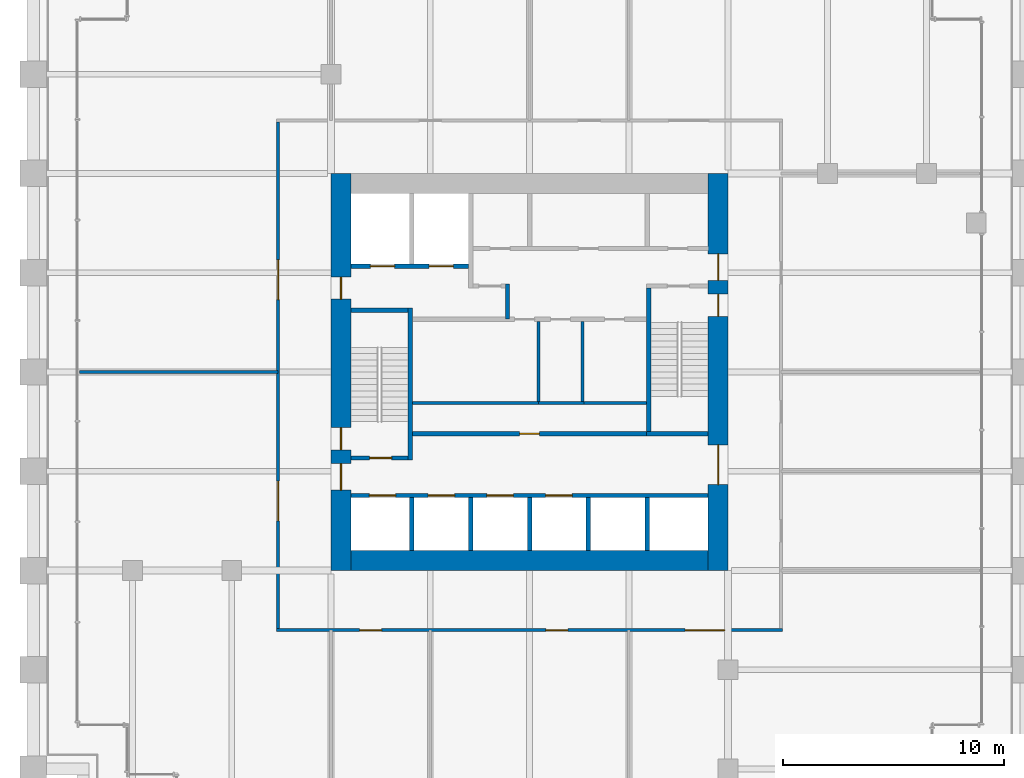
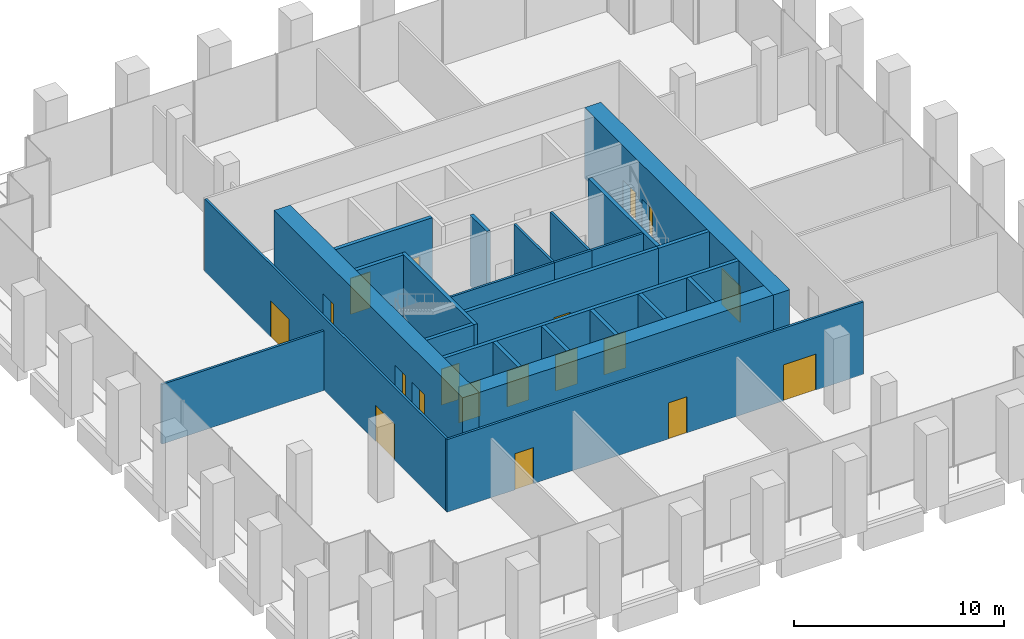
# One storey, part 30 of 36: 25 walls, 19 doors, 19 openings.
"""IFC4 building model written with IfcOpenShell, lengths in metres."""

from ifc_helpers import new_model, si_unit, direction, frame, frame_2d, origin, place, context, subcontext, project, spatial, rectangle, extrude, material, layer, layer_set, type_object, element, fill, save


model = new_model("IFC4")

# Units and contexts
model_context = context("Model", 3, precision=1e-05, world=origin(), true_north=direction((0.0, 1.0)))
body_context = subcontext(model_context, "Body", "Model", "MODEL_VIEW")
ifc_project = project(units=[si_unit("LENGTHUNIT", "METRE"), si_unit("AREAUNIT", "SQUARE_METRE"), si_unit("VOLUMEUNIT", "CUBIC_METRE"), si_unit("PLANEANGLEUNIT", "RADIAN"), si_unit("MASSUNIT", "GRAM", prefix="KILO")], contexts=[model_context])

# Site, building, storey
site_placement = place(None, origin())
site = spatial("IfcSite", under=ifc_project, at=site_placement, CompositionType="ELEMENT")
building_placement = place(site_placement, origin())
building = spatial("IfcBuilding", under=site, at=building_placement, Name="Altepetl Exchange Towers", CompositionType="ELEMENT")
storey_placement = place(building_placement, frame((0.0, 0.0, 34.199951171875)))
storey = spatial("IfcBuildingStorey", under=building, at=storey_placement, Name="L07", CompositionType="ELEMENT", Elevation=34.199951171875)

# Wall, openings, doors
ifc_material_1 = material(Name="Concrete C70/85", Category="concrete")
ifc_layer_1 = layer(ifc_material_1, 0.89990234375)
ifc_layer_set_1 = layer_set([ifc_layer_1], Name="Concrete C70/85")
wall_type_1 = type_object("IfcWallType", Name="Core wall 900 reinforced concrete", PredefinedType="SHEAR", material=ifc_layer_set_1)
wall_1_placement = place(storey_placement, frame((58.050048828125, 40.5, 0.0), z_axis=(0.0, 0.0, 1.0), x_axis=(0.0, 1.0, 0.0)))
wall_1 = element("IfcWall", 1, at=wall_1_placement, inside=storey, type_object=wall_type_1, Name="wall:A:L07:K-coreE", PredefinedType="SHEAR", context=body_context, shape_type="SweptSolid", body=[
    extrude(rectangle(XDim=18.0, YDim=0.89990234375, at=frame_2d((9.0, 0.0))), origin(), (0.0, 0.0, 1.0), 4.125),
])
opening_1_placement = place(wall_1_placement, frame((13.14990234375, 0.0, 0.0)))
opening_1 = element("IfcOpeningElement", 2, at=opening_1_placement, cuts=wall_1, Name="Opening L07.A60", PredefinedType="OPENING", context=body_context, shape_type="SweptSolid", body=[
    extrude(rectangle(XDim=1.199951171875, YDim=2.10009765625, at=frame_2d((0.60009765625, 1.050048828125))), frame((0.0, 0.4599609375, 0.0), z_axis=(0.0, -1.0, 0.0), x_axis=(1.0, 0.0, 0.0)), (0.0, 0.0, 1.0), 0.919921875),
])
opening_2_placement = place(wall_1_placement, frame((3.89990234375, 0.0, 0.0)))
opening_2 = element("IfcOpeningElement", 3, at=opening_2_placement, cuts=wall_1, Name="Opening L07.A61", PredefinedType="OPENING", context=body_context, shape_type="SweptSolid", body=[
    extrude(rectangle(XDim=1.800048828125, YDim=2.10009765625, at=frame_2d((0.89990234375, 1.050048828125))), frame((0.0, 0.4599609375, 0.0), z_axis=(0.0, -1.0, 0.0), x_axis=(1.0, 0.0, 0.0)), (0.0, 0.0, 1.0), 0.919921875),
])
opening_3_placement = place(wall_1_placement, frame((11.52490234375, 0.0, 0.0)))
opening_3 = element("IfcOpeningElement", 4, at=opening_3_placement, cuts=wall_1, Name="Opening L07.A66", PredefinedType="OPENING", context=body_context, shape_type="SweptSolid", body=[
    extrude(rectangle(XDim=1.0, YDim=2.10009765625, at=frame_2d((0.5, 1.050048828125))), frame((0.0, 0.4599609375, 0.0), z_axis=(0.0, -1.0, 0.0), x_axis=(1.0, 0.0, 0.0)), (0.0, 0.0, 1.0), 0.919921875),
])
ifc_material_2 = material(Name="Steel and timber fire door", Category="steel")
door_type_1 = type_object("IfcDoorType", Name="Fire door 1000 x 2100 stair and lobby", OperationType="SINGLE_SWING_LEFT", PredefinedType="DOOR", material=ifc_material_2)
door_1_placement = place(opening_3_placement, origin())
door_1 = element("IfcDoor", 5, at=door_1_placement, inside=storey, type_object=door_type_1, Name="door:A:L07:K-dS2x", OperationType="SINGLE_SWING_RIGHT", OverallHeight=2.10009765625, OverallWidth=1.0, PredefinedType="DOOR", context=body_context, shape_type="SweptSolid", body=[
    extrude(rectangle(XDim=1.0, YDim=2.10009765625, at=frame_2d((0.5, 1.050048828125))), frame((0.0, 0.02490234375, 0.0), z_axis=(0.0, -1.0, 0.0), x_axis=(1.0, 0.0, 0.0)), (0.0, 0.0, 1.0), 0.050048828125),
])
fill(opening_3, door_1)
door_type_2 = type_object("IfcDoorType", Name="Fire door 1200 x 2100 lobby entry", OperationType="SINGLE_SWING_LEFT", PredefinedType="DOOR", material=ifc_material_2)
door_2_placement = place(opening_1_placement, origin())
door_2 = element("IfcDoor", 6, at=door_2_placement, inside=storey, type_object=door_type_2, Name="door:A:L07:K-dLNE", OperationType="SINGLE_SWING_RIGHT", OverallHeight=2.10009765625, OverallWidth=1.199951171875, PredefinedType="DOOR", context=body_context, shape_type="SweptSolid", body=[
    extrude(rectangle(XDim=1.199951171875, YDim=2.10009765625, at=frame_2d((0.60009765625, 1.050048828125))), frame((0.0, 0.02490234375, 0.0), z_axis=(0.0, -1.0, 0.0), x_axis=(1.0, 0.0, 0.0)), (0.0, 0.0, 1.0), 0.050048828125),
])
fill(opening_1, door_2)
door_type_3 = type_object("IfcDoorType", Name="Fire door 1800 x 2100 lobby entry", OperationType="DOUBLE_DOOR_SINGLE_SWING", PredefinedType="DOOR", material=ifc_material_2)
door_3_placement = place(opening_2_placement, origin())
door_3 = element("IfcDoor", 7, at=door_3_placement, inside=storey, type_object=door_type_3, Name="door:A:L07:K-dLSE", OperationType="DOUBLE_DOOR_SINGLE_SWING", OverallHeight=2.10009765625, OverallWidth=1.800048828125, PredefinedType="DOOR", context=body_context, shape_type="SweptSolid", body=[
    extrude(rectangle(XDim=1.800048828125, YDim=2.10009765625, at=frame_2d((0.89990234375, 1.050048828125))), frame((0.0, 0.02490234375, 0.0), z_axis=(0.0, -1.0, 0.0), x_axis=(1.0, 0.0, 0.0)), (0.0, 0.0, 1.0), 0.050048828125),
])
fill(opening_2, door_3)

# Wall
wall_2_placement = place(storey_placement, frame((41.39990234375, 40.949951171875, 0.0)))
element("IfcWall", 8, at=wall_2_placement, inside=storey, type_object=wall_type_1, Name="wall:A:L07:K-coreS", PredefinedType="SHEAR", context=body_context, shape_type="SweptSolid", body=[
    extrude(rectangle(XDim=16.2001953125, YDim=0.89990234375, at=frame_2d((8.10009765625, 0.0))), origin(), (0.0, 0.0, 1.0), 4.125),
])

# Wall, openings, doors
wall_3_placement = place(storey_placement, frame((40.949951171875, 40.5, 0.0), z_axis=(0.0, 0.0, 1.0), x_axis=(0.0, 1.0, 0.0)))
wall_3 = element("IfcWall", 9, at=wall_3_placement, inside=storey, type_object=wall_type_1, Name="wall:A:L07:K-coreW", PredefinedType="SHEAR", context=body_context, shape_type="SweptSolid", body=[
    extrude(rectangle(XDim=18.0, YDim=0.89990234375, at=frame_2d((9.0, 0.0))), origin(), (0.0, 0.0, 1.0), 4.125),
])
opening_4_placement = place(wall_3_placement, frame((3.64990234375, 0.0, 0.0)))
opening_4 = element("IfcOpeningElement", 10, at=opening_4_placement, cuts=wall_3, Name="Opening L07.A62", PredefinedType="OPENING", context=body_context, shape_type="SweptSolid", body=[
    extrude(rectangle(XDim=1.199951171875, YDim=2.10009765625, at=frame_2d((0.60009765625, 1.050048828125))), frame((0.0, 0.4599609375, 0.0), z_axis=(0.0, -1.0, 0.0), x_axis=(1.0, 0.0, 0.0)), (0.0, 0.0, 1.0), 0.919921875),
])
opening_5_placement = place(wall_3_placement, frame((5.47509765625, 0.0, 0.0)))
opening_5 = element("IfcOpeningElement", 11, at=opening_5_placement, cuts=wall_3, Name="Opening L07.A64", PredefinedType="OPENING", context=body_context, shape_type="SweptSolid", body=[
    extrude(rectangle(XDim=1.0, YDim=2.10009765625, at=frame_2d((0.5, 1.050048828125))), frame((0.0, 0.4599609375, 0.0), z_axis=(0.0, -1.0, 0.0), x_axis=(1.0, 0.0, 0.0)), (0.0, 0.0, 1.0), 0.919921875),
])
opening_6_placement = place(wall_3_placement, frame((12.300048828125, 0.0, 0.0)))
opening_6 = element("IfcOpeningElement", 12, at=opening_6_placement, cuts=wall_3, Name="Opening L07.A68", PredefinedType="OPENING", context=body_context, shape_type="SweptSolid", body=[
    extrude(rectangle(XDim=1.0, YDim=2.10009765625, at=frame_2d((0.5, 1.050048828125))), frame((0.0, 0.4599609375, 0.0), z_axis=(0.0, -1.0, 0.0), x_axis=(1.0, 0.0, 0.0)), (0.0, 0.0, 1.0), 0.919921875),
])
door_4_placement = place(opening_5_placement, frame((1.0, 0.0, 0.0), x_axis=(-1.0, 0.0, 0.0)))
door_4 = element("IfcDoor", 13, at=door_4_placement, inside=storey, type_object=door_type_1, Name="door:A:L07:K-dS1x", OperationType="SINGLE_SWING_RIGHT", OverallHeight=2.10009765625, OverallWidth=1.0, PredefinedType="DOOR", context=body_context, shape_type="SweptSolid", body=[
    extrude(rectangle(XDim=1.0, YDim=2.10009765625, at=frame_2d((0.5, 1.050048828125))), frame((0.0, 0.02490234375, 0.0), z_axis=(0.0, -1.0, 0.0), x_axis=(1.0, 0.0, 0.0)), (0.0, 0.0, 1.0), 0.050048828125),
])
fill(opening_5, door_4)
door_5_placement = place(opening_6_placement, frame((1.0, 0.0, 0.0), x_axis=(-1.0, 0.0, 0.0)))
door_5 = element("IfcDoor", 14, at=door_5_placement, inside=storey, type_object=door_type_1, Name="door:A:L07:K-dffW", OperationType="SINGLE_SWING_LEFT", OverallHeight=2.10009765625, OverallWidth=1.0, PredefinedType="DOOR", context=body_context, shape_type="SweptSolid", body=[
    extrude(rectangle(XDim=1.0, YDim=2.10009765625, at=frame_2d((0.5, 1.050048828125))), frame((0.0, 0.02490234375, 0.0), z_axis=(0.0, -1.0, 0.0), x_axis=(1.0, 0.0, 0.0)), (0.0, 0.0, 1.0), 0.050048828125),
])
fill(opening_6, door_5)
door_6_placement = place(opening_4_placement, frame((1.199951171875, 0.0, 0.0), x_axis=(-1.0, 0.0, 0.0)))
door_6 = element("IfcDoor", 15, at=door_6_placement, inside=storey, type_object=door_type_2, Name="door:A:L07:K-dLSW", OperationType="SINGLE_SWING_LEFT", OverallHeight=2.10009765625, OverallWidth=1.199951171875, PredefinedType="DOOR", context=body_context, shape_type="SweptSolid", body=[
    extrude(rectangle(XDim=1.199951171875, YDim=2.10009765625, at=frame_2d((0.60009765625, 1.050048828125))), frame((0.0, 0.02490234375, 0.0), z_axis=(0.0, -1.0, 0.0), x_axis=(1.0, 0.0, 0.0)), (0.0, 0.0, 1.0), 0.050048828125),
])
fill(opening_4, door_6)

# Wall
ifc_material_3 = material(Name="Concrete blockwork", Category="masonry")
ifc_layer_2 = layer(ifc_material_3, 0.199951171875)
ifc_layer_set_2 = layer_set([ifc_layer_2], Name="Concrete blockwork")
wall_type_2 = type_object("IfcWallType", Name="Lobby wall 200 blockwork", PredefinedType="PARTITIONING", material=ifc_layer_set_2)
wall_4_placement = place(storey_placement, frame((48.5, 51.89990234375, 0.0), z_axis=(0.0, 0.0, 1.0), x_axis=(0.0, 1.0, 0.0)))
element("IfcWall", 16, at=wall_4_placement, inside=storey, type_object=wall_type_2, Name="wall:A:L07:K-ffE", PredefinedType="PARTITIONING", context=body_context, shape_type="SweptSolid", body=[
    extrude(rectangle(XDim=1.60009765625, YDim=0.199951171875, at=frame_2d((0.800048828125, 0.0))), origin(), (0.0, 0.0, 1.0), 4.125),
])

# Wall, opening, door
wall_5_placement = place(storey_placement, frame((44.199951171875, 46.699951171875, 0.0)))
wall_5 = element("IfcWall", 17, at=wall_5_placement, inside=storey, type_object=wall_type_2, Name="wall:A:L07:K-zoneS", PredefinedType="PARTITIONING", context=body_context, shape_type="SweptSolid", body=[
    extrude(rectangle(XDim=10.60009765625, YDim=0.199951171875, at=frame_2d((5.300048828125, 0.0))), origin(), (0.0, 0.0, 1.0), 4.125),
])
opening_7_placement = place(wall_5_placement, frame((4.85009765625, 0.0, 0.0)))
opening_7 = element("IfcOpeningElement", 18, at=opening_7_placement, cuts=wall_5, Name="Opening L07.A72", PredefinedType="OPENING", context=body_context, shape_type="SweptSolid", body=[
    extrude(rectangle(XDim=0.89990234375, YDim=2.10009765625, at=frame_2d((0.449951171875, 1.050048828125))), frame((0.0, 0.10986328125, 0.0), z_axis=(0.0, -1.0, 0.0), x_axis=(1.0, 0.0, 0.0)), (0.0, 0.0, 1.0), 0.219970703125),
])
door_type_4 = type_object("IfcDoorType", Name="Fire door 900 x 2100 service room", OperationType="SINGLE_SWING_LEFT", PredefinedType="DOOR", material=ifc_material_2)
door_7_placement = place(opening_7_placement, origin())
door_7 = element("IfcDoor", 19, at=door_7_placement, inside=storey, type_object=door_type_4, Name="door:A:L07:K-dz1", OperationType="SINGLE_SWING_LEFT", OverallHeight=2.10009765625, OverallWidth=0.89990234375, PredefinedType="DOOR", context=body_context, shape_type="SweptSolid", body=[
    extrude(rectangle(XDim=0.89990234375, YDim=2.10009765625, at=frame_2d((0.449951171875, 1.050048828125))), frame((0.0, 0.02490234375, 0.0), z_axis=(0.0, -1.0, 0.0), x_axis=(1.0, 0.0, 0.0)), (0.0, 0.0, 1.0), 0.050048828125),
])
fill(opening_7, door_7)

# Walls
ifc_material_4 = material(Name="Gypsum board on steel studs", Category="steel")
ifc_layer_3 = layer(ifc_material_4, 0.125)
ifc_layer_set_3 = layer_set([ifc_layer_3], Name="Gypsum board on steel studs")
wall_type_3 = type_object("IfcWallType", Name="Partition 125 gypsum board on steel studs", PredefinedType="PARTITIONING", material=ifc_layer_set_3)
wall_6_placement = place(storey_placement, frame((49.96240234375, 48.10009765625, 0.0), z_axis=(0.0, 0.0, 1.0), x_axis=(-1.0, 0.0, 0.0)))
element("IfcWall", 20, at=wall_6_placement, inside=storey, type_object=wall_type_3, Name="wall:A:L07:K-zp1", PredefinedType="PARTITIONING", context=body_context, shape_type="SweptSolid", body=[
    extrude(rectangle(XDim=5.762451171875, YDim=0.125, at=frame_2d((2.88134765625, 0.0))), origin(), (0.0, 0.0, 1.0), 4.125),
])
wall_7_placement = place(storey_placement, frame((51.96240234375, 48.10009765625, 0.0), z_axis=(0.0, 0.0, 1.0), x_axis=(-1.0, 0.0, 0.0)))
element("IfcWall", 21, at=wall_7_placement, inside=storey, type_object=wall_type_3, Name="wall:A:L07:K-zp2", PredefinedType="PARTITIONING", context=body_context, shape_type="SweptSolid", body=[
    extrude(rectangle(XDim=2.0625, YDim=0.125, at=frame_2d((1.03125, 0.0))), origin(), (0.0, 0.0, 1.0), 4.125),
])
wall_8_placement = place(storey_placement, frame((49.89990234375, 48.16259765625, 0.0), z_axis=(0.0, 0.0, 1.0), x_axis=(0.0, 1.0, 0.0)))
element("IfcWall", 22, at=wall_8_placement, inside=storey, type_object=wall_type_3, Name="wall:A:L07:K-zp3", PredefinedType="PARTITIONING", context=body_context, shape_type="SweptSolid", body=[
    extrude(rectangle(XDim=3.637451171875, YDim=0.125, at=frame_2d((1.81884765625, 0.0))), origin(), (0.0, 0.0, 1.0), 4.125),
])
wall_9_placement = place(storey_placement, frame((54.800048828125, 48.10009765625, 0.0), z_axis=(0.0, 0.0, 1.0), x_axis=(-1.0, 0.0, 0.0)))
element("IfcWall", 23, at=wall_9_placement, inside=storey, type_object=wall_type_3, Name="wall:A:L07:K-zp4", PredefinedType="PARTITIONING", context=body_context, shape_type="SweptSolid", body=[
    extrude(rectangle(XDim=2.900146484375, YDim=0.125, at=frame_2d((1.4501953125, 0.0))), origin(), (0.0, 0.0, 1.0), 4.125),
])
wall_10_placement = place(storey_placement, frame((51.89990234375, 48.16259765625, 0.0), z_axis=(0.0, 0.0, 1.0), x_axis=(0.0, 1.0, 0.0)))
element("IfcWall", 24, at=wall_10_placement, inside=storey, type_object=wall_type_3, Name="wall:A:L07:K-zp5", PredefinedType="PARTITIONING", context=body_context, shape_type="SweptSolid", body=[
    extrude(rectangle(XDim=3.637451171875, YDim=0.125, at=frame_2d((1.81884765625, 0.0))), origin(), (0.0, 0.0, 1.0), 4.125),
])

# Wall, openings, doors
wall_11_placement = place(storey_placement, frame((38.03759765625, 37.800048828125, 0.0)))
wall_11 = element("IfcWall", 25, at=wall_11_placement, inside=storey, type_object=wall_type_3, Name="wall:A:L07:P01", PredefinedType="PARTITIONING", context=body_context, shape_type="SweptSolid", body=[
    extrude(rectangle(XDim=22.9248046875, YDim=0.125, at=frame_2d((11.46240234375, 0.0))), origin(), (0.0, 0.0, 1.0), 4.22509765625),
])
opening_8_placement = place(wall_11_placement, frame((3.757568359375, 0.0, 0.0)))
opening_8 = element("IfcOpeningElement", 26, at=opening_8_placement, cuts=wall_11, Name="Opening L07.A02", PredefinedType="OPENING", context=body_context, shape_type="SweptSolid", body=[
    extrude(rectangle(XDim=1.0, YDim=2.10009765625, at=frame_2d((0.5, 1.050048828125))), frame((0.0, 0.072509765625, 0.0), z_axis=(0.0, -1.0, 0.0), x_axis=(1.0, 0.0, 0.0)), (0.0, 0.0, 1.0), 0.14501953125),
])
opening_9_placement = place(wall_11_placement, frame((12.20458984375, 0.0, 0.0)))
opening_9 = element("IfcOpeningElement", 27, at=opening_9_placement, cuts=wall_11, Name="Opening L07.A03", PredefinedType="OPENING", context=body_context, shape_type="SweptSolid", body=[
    extrude(rectangle(XDim=1.0, YDim=2.10009765625, at=frame_2d((0.5, 1.050048828125))), frame((0.0, 0.072509765625, 0.0), z_axis=(0.0, -1.0, 0.0), x_axis=(1.0, 0.0, 0.0)), (0.0, 0.0, 1.0), 0.14501953125),
])
opening_10_placement = place(wall_11_placement, frame((18.512451171875, 0.0, 0.0)))
opening_10 = element("IfcOpeningElement", 28, at=opening_10_placement, cuts=wall_11, Name="Opening L07.A04", PredefinedType="OPENING", context=body_context, shape_type="SweptSolid", body=[
    extrude(rectangle(XDim=1.800048828125, YDim=2.10009765625, at=frame_2d((0.89990234375, 1.050048828125))), frame((0.0, 0.072509765625, 0.0), z_axis=(0.0, -1.0, 0.0), x_axis=(1.0, 0.0, 0.0)), (0.0, 0.0, 1.0), 0.14501953125),
])
door_type_5 = type_object("IfcDoorType", Name="Fire door 1000 x 2100 single leaf", OperationType="SINGLE_SWING_LEFT", PredefinedType="DOOR", material=ifc_material_2)
door_8_placement = place(opening_8_placement, frame((1.0, 0.0, 0.0), x_axis=(-1.0, 0.0, 0.0)))
door_8 = element("IfcDoor", 29, at=door_8_placement, inside=storey, type_object=door_type_5, Name="door:A:L07:02", OperationType="SINGLE_SWING_RIGHT", OverallHeight=2.10009765625, OverallWidth=1.0, PredefinedType="DOOR", context=body_context, shape_type="SweptSolid", body=[
    extrude(rectangle(XDim=1.0, YDim=2.10009765625, at=frame_2d((0.5, 1.050048828125))), frame((0.0, 0.02490234375, 0.0), z_axis=(0.0, -1.0, 0.0), x_axis=(1.0, 0.0, 0.0)), (0.0, 0.0, 1.0), 0.050048828125),
])
fill(opening_8, door_8)
door_9_placement = place(opening_9_placement, frame((1.0, 0.0, 0.0), x_axis=(-1.0, 0.0, 0.0)))
door_9 = element("IfcDoor", 30, at=door_9_placement, inside=storey, type_object=door_type_5, Name="door:A:L07:03", OperationType="SINGLE_SWING_LEFT", OverallHeight=2.10009765625, OverallWidth=1.0, PredefinedType="DOOR", context=body_context, shape_type="SweptSolid", body=[
    extrude(rectangle(XDim=1.0, YDim=2.10009765625, at=frame_2d((0.5, 1.050048828125))), frame((0.0, 0.02490234375, 0.0), z_axis=(0.0, -1.0, 0.0), x_axis=(1.0, 0.0, 0.0)), (0.0, 0.0, 1.0), 0.050048828125),
])
fill(opening_9, door_9)
door_type_6 = type_object("IfcDoorType", Name="Fire door 1800 x 2100 double leaf", OperationType="DOUBLE_DOOR_SINGLE_SWING", PredefinedType="DOOR", material=ifc_material_2)
door_10_placement = place(opening_10_placement, frame((1.800048828125, 0.0, 0.0), x_axis=(-1.0, 0.0, 0.0)))
door_10 = element("IfcDoor", 31, at=door_10_placement, inside=storey, type_object=door_type_6, Name="door:A:L07:04", OperationType="DOUBLE_DOOR_SINGLE_SWING", OverallHeight=2.10009765625, OverallWidth=1.800048828125, PredefinedType="DOOR", context=body_context, shape_type="SweptSolid", body=[
    extrude(rectangle(XDim=1.800048828125, YDim=2.10009765625, at=frame_2d((0.89990234375, 1.050048828125))), frame((0.0, 0.02490234375, 0.0), z_axis=(0.0, -1.0, 0.0), x_axis=(1.0, 0.0, 0.0)), (0.0, 0.0, 1.0), 0.050048828125),
])
fill(opening_10, door_10)

# Wall
wall_12_placement = place(storey_placement, frame((29.10009765625, 49.5, 0.0)))
element("IfcWall", 32, at=wall_12_placement, inside=storey, type_object=wall_type_3, Name="wall:A:L07:P04", PredefinedType="PARTITIONING", context=body_context, shape_type="SweptSolid", body=[
    extrude(rectangle(XDim=9.0, YDim=0.125, at=frame_2d((4.5, 0.0))), origin(), (0.0, 0.0, 1.0), 3.467041015625),
])

# Wall, openings, doors
wall_13_placement = place(storey_placement, frame((38.10009765625, 37.862548828125, 0.0), z_axis=(0.0, 0.0, 1.0), x_axis=(0.0, 1.0, 0.0)))
wall_13 = element("IfcWall", 33, at=wall_13_placement, inside=storey, type_object=wall_type_3, Name="wall:A:L07:P10", PredefinedType="PARTITIONING", context=body_context, shape_type="SweptSolid", body=[
    extrude(rectangle(XDim=22.974853515625, YDim=0.125, at=frame_2d((11.4873046875, 0.0))), origin(), (0.0, 0.0, 1.0), 4.22509765625),
])
opening_11_placement = place(wall_13_placement, frame((4.887451171875, 0.0, 0.0)))
opening_11 = element("IfcOpeningElement", 34, at=opening_11_placement, cuts=wall_13, Name="Opening L07.A01", PredefinedType="OPENING", context=body_context, shape_type="SweptSolid", body=[
    extrude(rectangle(XDim=1.800048828125, YDim=2.10009765625, at=frame_2d((0.89990234375, 1.050048828125))), frame((0.0, 0.072509765625, 0.0), z_axis=(0.0, -1.0, 0.0), x_axis=(1.0, 0.0, 0.0)), (0.0, 0.0, 1.0), 0.14501953125),
])
opening_12_placement = place(wall_13_placement, frame((14.91552734375, 0.0, 0.0)))
opening_12 = element("IfcOpeningElement", 35, at=opening_12_placement, cuts=wall_13, Name="Opening L07.A11", PredefinedType="OPENING", context=body_context, shape_type="SweptSolid", body=[
    extrude(rectangle(XDim=1.800048828125, YDim=2.10009765625, at=frame_2d((0.89990234375, 1.050048828125))), frame((0.0, 0.072509765625, 0.0), z_axis=(0.0, -1.0, 0.0), x_axis=(1.0, 0.0, 0.0)), (0.0, 0.0, 1.0), 0.14501953125),
])
door_11_placement = place(opening_11_placement, origin())
door_11 = element("IfcDoor", 36, at=door_11_placement, inside=storey, type_object=door_type_6, Name="door:A:L07:01", OperationType="DOUBLE_DOOR_SINGLE_SWING", OverallHeight=2.10009765625, OverallWidth=1.800048828125, PredefinedType="DOOR", context=body_context, shape_type="SweptSolid", body=[
    extrude(rectangle(XDim=1.800048828125, YDim=2.10009765625, at=frame_2d((0.89990234375, 1.050048828125))), frame((0.0, 0.02490234375, 0.0), z_axis=(0.0, -1.0, 0.0), x_axis=(1.0, 0.0, 0.0)), (0.0, 0.0, 1.0), 0.050048828125),
])
fill(opening_11, door_11)
door_12_placement = place(opening_12_placement, origin())
door_12 = element("IfcDoor", 37, at=door_12_placement, inside=storey, type_object=door_type_6, Name="door:A:L07:11", OperationType="DOUBLE_DOOR_SINGLE_SWING", OverallHeight=2.10009765625, OverallWidth=1.800048828125, PredefinedType="DOOR", context=body_context, shape_type="SweptSolid", body=[
    extrude(rectangle(XDim=1.800048828125, YDim=2.10009765625, at=frame_2d((0.89990234375, 1.050048828125))), frame((0.0, 0.02490234375, 0.0), z_axis=(0.0, -1.0, 0.0), x_axis=(1.0, 0.0, 0.0)), (0.0, 0.0, 1.0), 0.050048828125),
])
fill(opening_12, door_12)

# Walls
ifc_material_5 = material(Name="Concrete C40/50", Category="concrete")
ifc_layer_4 = layer(ifc_material_5, 0.199951171875)
ifc_layer_set_4 = layer_set([ifc_layer_4], Name="Concrete C40/50")
wall_type_4 = type_object("IfcWallType", Name="Shaft wall 200 reinforced concrete", PredefinedType="SHEAR", material=ifc_layer_set_4)
for number, where, z_axis, x_axis, name in (
    (38, (44.166748046875, 41.39990234375, 0.0), (0.0, 0.0, 1.0), (0.0, 1.0, 0.0), "wall:A:L07:K-divS1"),
    (39, (46.833251953125, 41.39990234375, 0.0), (0.0, 0.0, 1.0), (0.0, 1.0, 0.0), "wall:A:L07:K-divS2"),
    (40, (49.5, 41.39990234375, 0.0), (0.0, 0.0, 1.0), (0.0, 1.0, 0.0), "wall:A:L07:K-divS3"),
    (41, (52.166748046875, 41.39990234375, 0.0), (0.0, 0.0, 1.0), (0.0, 1.0, 0.0), "wall:A:L07:K-divS4"),
    (42, (54.833251953125, 41.39990234375, 0.0), (0.0, 0.0, 1.0), (0.0, 1.0, 0.0), "wall:A:L07:K-divS5"),
):
    element("IfcWall", number, at=place(storey_placement, frame(where, z_axis=z_axis, x_axis=x_axis)), inside=storey, type_object=wall_type_4, Name=name, PredefinedType="SHEAR", context=body_context, shape_type="SweptSolid", body=[
        extrude(rectangle(XDim=2.400146484375, YDim=0.199951171875, at=frame_2d((1.2001953125, 0.0))), origin(), (0.0, 0.0, 1.0), 4.125),
    ])

# Wall, openings, doors
wall_14_placement = place(storey_placement, frame((41.39990234375, 54.300048828125, 0.0)))
wall_14 = element("IfcWall", 43, at=wall_14_placement, inside=storey, type_object=wall_type_4, Name="wall:A:L07:K-frontNd", PredefinedType="SHEAR", context=body_context, shape_type="SweptSolid", body=[
    extrude(rectangle(XDim=5.33349609375, YDim=0.199951171875, at=frame_2d((2.666748046875, 0.0))), origin(), (0.0, 0.0, 1.0), 4.125),
])
opening_13_placement = place(wall_14_placement, frame((0.88330078125, 0.0, 0.0)))
opening_13 = element("IfcOpeningElement", 44, at=opening_13_placement, cuts=wall_14, Name="Opening L07.A76", PredefinedType="OPENING", context=body_context, shape_type="SweptSolid", body=[
    extrude(rectangle(XDim=1.10009765625, YDim=2.10009765625, at=frame_2d((0.550048828125, 1.050048828125))), frame((0.0, 0.10986328125, 0.0), z_axis=(0.0, -1.0, 0.0), x_axis=(1.0, 0.0, 0.0)), (0.0, 0.0, 1.0), 0.219970703125),
])
opening_14_placement = place(wall_14_placement, frame((3.550048828125, 0.0, 0.0)))
opening_14 = element("IfcOpeningElement", 45, at=opening_14_placement, cuts=wall_14, Name="Opening L07.A77", PredefinedType="OPENING", context=body_context, shape_type="SweptSolid", body=[
    extrude(rectangle(XDim=1.10009765625, YDim=2.10009765625, at=frame_2d((0.550048828125, 1.050048828125))), frame((0.0, 0.10986328125, 0.0), z_axis=(0.0, -1.0, 0.0), x_axis=(1.0, 0.0, 0.0)), (0.0, 0.0, 1.0), 0.219970703125),
])
ifc_material_6 = material(Name="Stainless steel", Category="steel")
door_type_7 = type_object("IfcDoorType", Name="Lift landing door 1100 x 2100", OperationType="SLIDING_TO_LEFT", PredefinedType="DOOR", material=ifc_material_6)
door_13_placement = place(opening_13_placement, origin())
door_13 = element("IfcDoor", 46, at=door_13_placement, inside=storey, type_object=door_type_7, Name="Landing door FFL1", OperationType="SLIDING_TO_LEFT", OverallHeight=2.10009765625, OverallWidth=1.10009765625, PredefinedType="DOOR", context=body_context, shape_type="SweptSolid", body=[
    extrude(rectangle(XDim=1.10009765625, YDim=2.10009765625, at=frame_2d((0.550048828125, 1.050048828125))), frame((0.0, 0.02490234375, 0.0), z_axis=(0.0, -1.0, 0.0), x_axis=(1.0, 0.0, 0.0)), (0.0, 0.0, 1.0), 0.050048828125),
])
fill(opening_13, door_13)
door_14_placement = place(opening_14_placement, origin())
door_14 = element("IfcDoor", 47, at=door_14_placement, inside=storey, type_object=door_type_7, Name="Landing door FFL2", OperationType="SLIDING_TO_LEFT", OverallHeight=2.10009765625, OverallWidth=1.10009765625, PredefinedType="DOOR", context=body_context, shape_type="SweptSolid", body=[
    extrude(rectangle(XDim=1.10009765625, YDim=2.10009765625, at=frame_2d((0.550048828125, 1.050048828125))), frame((0.0, 0.02490234375, 0.0), z_axis=(0.0, -1.0, 0.0), x_axis=(1.0, 0.0, 0.0)), (0.0, 0.0, 1.0), 0.050048828125),
])
fill(opening_14, door_14)

wall_15_placement = place(storey_placement, frame((41.39990234375, 43.89990234375, 0.0)))
wall_15 = element("IfcWall", 48, at=wall_15_placement, inside=storey, type_object=wall_type_4, Name="wall:A:L07:K-frontS", PredefinedType="SHEAR", context=body_context, shape_type="SweptSolid", body=[
    extrude(rectangle(XDim=16.2001953125, YDim=0.199951171875, at=frame_2d((8.10009765625, 0.0))), origin(), (0.0, 0.0, 1.0), 4.125),
])
opening_15_placement = place(wall_15_placement, frame((0.833251953125, 0.0, 0.0)))
opening_15 = element("IfcOpeningElement", 49, at=opening_15_placement, cuts=wall_15, Name="Opening L07.A78", PredefinedType="OPENING", context=body_context, shape_type="SweptSolid", body=[
    extrude(rectangle(XDim=1.199951171875, YDim=2.10009765625, at=frame_2d((0.60009765625, 1.050048828125))), frame((0.0, 0.10986328125, 0.0), z_axis=(0.0, -1.0, 0.0), x_axis=(1.0, 0.0, 0.0)), (0.0, 0.0, 1.0), 0.219970703125),
])
opening_16_placement = place(wall_15_placement, frame((3.5, 0.0, 0.0)))
opening_16 = element("IfcOpeningElement", 50, at=opening_16_placement, cuts=wall_15, Name="Opening L07.A79", PredefinedType="OPENING", context=body_context, shape_type="SweptSolid", body=[
    extrude(rectangle(XDim=1.199951171875, YDim=2.10009765625, at=frame_2d((0.60009765625, 1.050048828125))), frame((0.0, 0.10986328125, 0.0), z_axis=(0.0, -1.0, 0.0), x_axis=(1.0, 0.0, 0.0)), (0.0, 0.0, 1.0), 0.219970703125),
])
opening_17_placement = place(wall_15_placement, frame((6.166748046875, 0.0, 0.0)))
opening_17 = element("IfcOpeningElement", 51, at=opening_17_placement, cuts=wall_15, Name="Opening L07.A80", PredefinedType="OPENING", context=body_context, shape_type="SweptSolid", body=[
    extrude(rectangle(XDim=1.199951171875, YDim=2.10009765625, at=frame_2d((0.60009765625, 1.050048828125))), frame((0.0, 0.10986328125, 0.0), z_axis=(0.0, -1.0, 0.0), x_axis=(1.0, 0.0, 0.0)), (0.0, 0.0, 1.0), 0.219970703125),
])
opening_18_placement = place(wall_15_placement, frame((8.833251953125, 0.0, 0.0)))
opening_18 = element("IfcOpeningElement", 52, at=opening_18_placement, cuts=wall_15, Name="Opening L07.A81", PredefinedType="OPENING", context=body_context, shape_type="SweptSolid", body=[
    extrude(rectangle(XDim=1.199951171875, YDim=2.10009765625, at=frame_2d((0.60009765625, 1.050048828125))), frame((0.0, 0.10986328125, 0.0), z_axis=(0.0, -1.0, 0.0), x_axis=(1.0, 0.0, 0.0)), (0.0, 0.0, 1.0), 0.219970703125),
])
door_type_8 = type_object("IfcDoorType", Name="Lift landing door 1200 x 2100", OperationType="SLIDING_TO_LEFT", PredefinedType="DOOR", material=ifc_material_6)
door_15_placement = place(opening_15_placement, origin())
door_15 = element("IfcDoor", 53, at=door_15_placement, inside=storey, type_object=door_type_8, Name="Landing door P1", OperationType="SLIDING_TO_LEFT", OverallHeight=2.10009765625, OverallWidth=1.199951171875, PredefinedType="DOOR", context=body_context, shape_type="SweptSolid", body=[
    extrude(rectangle(XDim=1.199951171875, YDim=2.10009765625, at=frame_2d((0.60009765625, 1.050048828125))), frame((0.0, 0.02490234375, 0.0), z_axis=(0.0, -1.0, 0.0), x_axis=(1.0, 0.0, 0.0)), (0.0, 0.0, 1.0), 0.050048828125),
])
fill(opening_15, door_15)
door_16_placement = place(opening_16_placement, origin())
door_16 = element("IfcDoor", 54, at=door_16_placement, inside=storey, type_object=door_type_8, Name="Landing door P2", OperationType="SLIDING_TO_LEFT", OverallHeight=2.10009765625, OverallWidth=1.199951171875, PredefinedType="DOOR", context=body_context, shape_type="SweptSolid", body=[
    extrude(rectangle(XDim=1.199951171875, YDim=2.10009765625, at=frame_2d((0.60009765625, 1.050048828125))), frame((0.0, 0.02490234375, 0.0), z_axis=(0.0, -1.0, 0.0), x_axis=(1.0, 0.0, 0.0)), (0.0, 0.0, 1.0), 0.050048828125),
])
fill(opening_16, door_16)
door_17_placement = place(opening_17_placement, origin())
door_17 = element("IfcDoor", 55, at=door_17_placement, inside=storey, type_object=door_type_8, Name="Landing door P3", OperationType="SLIDING_TO_LEFT", OverallHeight=2.10009765625, OverallWidth=1.199951171875, PredefinedType="DOOR", context=body_context, shape_type="SweptSolid", body=[
    extrude(rectangle(XDim=1.199951171875, YDim=2.10009765625, at=frame_2d((0.60009765625, 1.050048828125))), frame((0.0, 0.02490234375, 0.0), z_axis=(0.0, -1.0, 0.0), x_axis=(1.0, 0.0, 0.0)), (0.0, 0.0, 1.0), 0.050048828125),
])
fill(opening_17, door_17)
door_18_placement = place(opening_18_placement, origin())
door_18 = element("IfcDoor", 56, at=door_18_placement, inside=storey, type_object=door_type_8, Name="Landing door P4", OperationType="SLIDING_TO_LEFT", OverallHeight=2.10009765625, OverallWidth=1.199951171875, PredefinedType="DOOR", context=body_context, shape_type="SweptSolid", body=[
    extrude(rectangle(XDim=1.199951171875, YDim=2.10009765625, at=frame_2d((0.60009765625, 1.050048828125))), frame((0.0, 0.02490234375, 0.0), z_axis=(0.0, -1.0, 0.0), x_axis=(1.0, 0.0, 0.0)), (0.0, 0.0, 1.0), 0.050048828125),
])
fill(opening_18, door_18)

# Walls
ifc_layer_5 = layer(ifc_material_5, 0.199951171875)
ifc_layer_set_5 = layer_set([ifc_layer_5], Name="Concrete C40/50")
wall_type_5 = type_object("IfcWallType", Name="Stair wall 200 reinforced concrete", PredefinedType="SHEAR", material=ifc_layer_set_5)
wall_16_placement = place(storey_placement, frame((44.10009765625, 45.5, 0.0), z_axis=(0.0, 0.0, 1.0), x_axis=(0.0, 1.0, 0.0)))
element("IfcWall", 57, at=wall_16_placement, inside=storey, type_object=wall_type_5, Name="wall:A:L07:K-stS1E", PredefinedType="SHEAR", context=body_context, shape_type="SweptSolid", body=[
    extrude(rectangle(XDim=6.89990234375, YDim=0.199951171875, at=frame_2d((3.449951171875, 0.0))), origin(), (0.0, 0.0, 1.0), 4.125),
])
wall_17_placement = place(storey_placement, frame((41.39990234375, 52.300048828125, 0.0)))
element("IfcWall", 58, at=wall_17_placement, inside=storey, type_object=wall_type_5, Name="wall:A:L07:K-stS1N", PredefinedType="SHEAR", context=body_context, shape_type="SweptSolid", body=[
    extrude(rectangle(XDim=2.60009765625, YDim=0.199951171875, at=frame_2d((1.300048828125, 0.0))), origin(), (0.0, 0.0, 1.0), 4.125),
])

# Wall, opening, door
wall_18_placement = place(storey_placement, frame((41.39990234375, 45.60009765625, 0.0)))
wall_18 = element("IfcWall", 59, at=wall_18_placement, inside=storey, type_object=wall_type_5, Name="wall:A:L07:K-stS1S", PredefinedType="SHEAR", context=body_context, shape_type="SweptSolid", body=[
    extrude(rectangle(XDim=2.60009765625, YDim=0.199951171875, at=frame_2d((1.300048828125, 0.0))), origin(), (0.0, 0.0, 1.0), 4.125),
])
opening_19_placement = place(wall_18_placement, frame((0.85009765625, 0.0, 0.0)))
opening_19 = element("IfcOpeningElement", 60, at=opening_19_placement, cuts=wall_18, Name="Opening L07.A63", PredefinedType="OPENING", context=body_context, shape_type="SweptSolid", body=[
    extrude(rectangle(XDim=1.0, YDim=2.10009765625, at=frame_2d((0.5, 1.050048828125))), frame((0.0, 0.10986328125, 0.0), z_axis=(0.0, -1.0, 0.0), x_axis=(1.0, 0.0, 0.0)), (0.0, 0.0, 1.0), 0.219970703125),
])
door_19_placement = place(opening_19_placement, origin())
door_19 = element("IfcDoor", 61, at=door_19_placement, inside=storey, type_object=door_type_1, Name="door:A:L07:K-dS1in", OperationType="SINGLE_SWING_RIGHT", OverallHeight=2.10009765625, OverallWidth=1.0, PredefinedType="DOOR", context=body_context, shape_type="SweptSolid", body=[
    extrude(rectangle(XDim=1.0, YDim=2.10009765625, at=frame_2d((0.5, 1.050048828125))), frame((0.0, 0.02490234375, 0.0), z_axis=(0.0, -1.0, 0.0), x_axis=(1.0, 0.0, 0.0)), (0.0, 0.0, 1.0), 0.050048828125),
])
fill(opening_19, door_19)

# Walls
wall_19_placement = place(storey_placement, frame((54.800048828125, 46.699951171875, 0.0)))
element("IfcWall", 62, at=wall_19_placement, inside=storey, type_object=wall_type_5, Name="wall:A:L07:K-stS2S", PredefinedType="SHEAR", context=body_context, shape_type="SweptSolid", body=[
    extrude(rectangle(XDim=2.800048828125, YDim=0.199951171875, at=frame_2d((1.39990234375, 0.0))), origin(), (0.0, 0.0, 1.0), 4.125),
])
wall_20_placement = place(storey_placement, frame((54.89990234375, 46.800048828125, 0.0), z_axis=(0.0, 0.0, 1.0), x_axis=(0.0, 1.0, 0.0)))
element("IfcWall", 63, at=wall_20_placement, inside=storey, type_object=wall_type_5, Name="wall:A:L07:K-stS2W", PredefinedType="SHEAR", context=body_context, shape_type="SweptSolid", body=[
    extrude(rectangle(XDim=6.5, YDim=0.199951171875, at=frame_2d((3.25, 0.0))), origin(), (0.0, 0.0, 1.0), 4.125),
])

save(model, "model.ifc")
